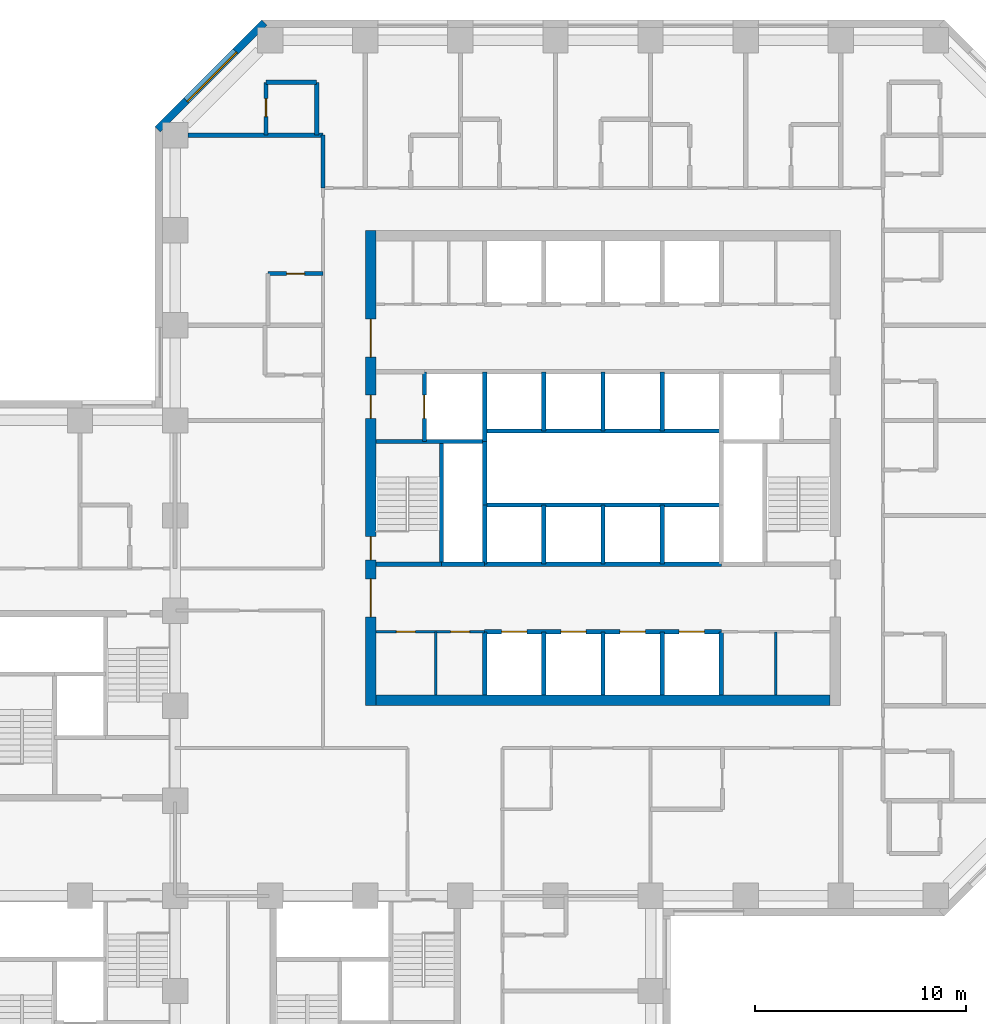
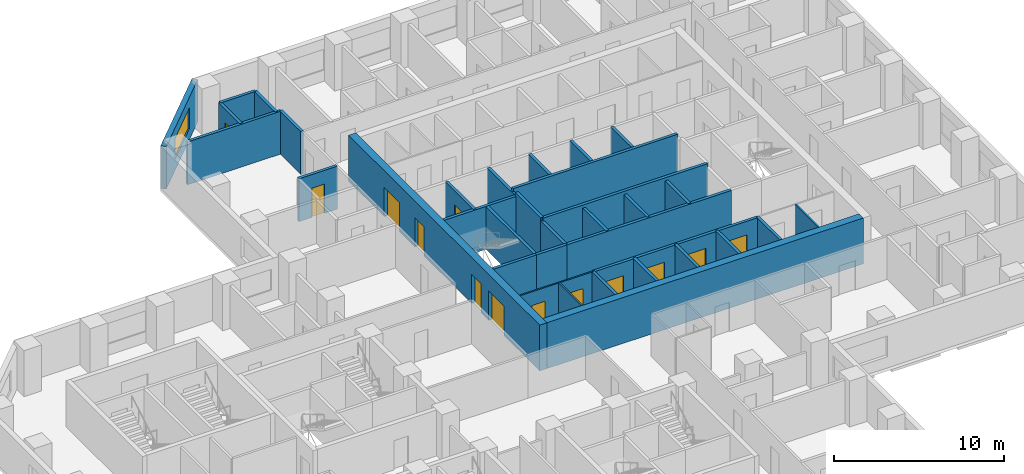
# One storey, part 7 of 12: 35 walls, 13 doors, 1 window, 14 openings.
"""IFC4 building model written with IfcOpenShell, lengths in metres."""

from ifc_helpers import new_model, si_unit, direction, frame, frame_2d, origin, place, context, subcontext, project, spatial, rectangle, extrude, material, layer, layer_set, constituent, constituent_set, type_object, element, fill, save


model = new_model("IFC4")

# Units and contexts
model_context = context("Model", 3, precision=1e-05, world=origin(), true_north=direction((0.0, 1.0)))
body_context = subcontext(model_context, "Body", "Model", "MODEL_VIEW")
ifc_project = project(units=[si_unit("LENGTHUNIT", "METRE"), si_unit("AREAUNIT", "SQUARE_METRE"), si_unit("VOLUMEUNIT", "CUBIC_METRE"), si_unit("PLANEANGLEUNIT", "RADIAN"), si_unit("MASSUNIT", "GRAM", prefix="KILO")], contexts=[model_context])

# Site, building, storey
site_placement = place(None, origin())
site = spatial("IfcSite", under=ifc_project, at=site_placement, CompositionType="ELEMENT")
building_placement = place(site_placement, origin())
building = spatial("IfcBuilding", under=site, at=building_placement, Name="Quoin Convention Tower", CompositionType="ELEMENT")
storey_placement = place(building_placement, frame((0.0, 0.0, 46.199951171875)))
storey = spatial("IfcBuildingStorey", under=building, at=storey_placement, Name="L11", CompositionType="ELEMENT", Elevation=46.199951171875)

# Wall, opening, window
ifc_material_1 = material(Name="Brick masonry", Category="masonry")
ifc_layer_1 = layer(ifc_material_1, 0.35009765625)
ifc_layer_set_1 = layer_set([ifc_layer_1], Name="Brick masonry")
wall_type_1 = type_object("IfcWallType", Name="Brick facade wall", PredefinedType="STANDARD", material=ifc_layer_set_1)
wall_1_placement = place(storey_placement, frame((40.230224609375, 81.826416015625, 0.0), z_axis=(0.0, 0.0, 1.0), x_axis=(-0.707106781187, -0.707106781187, 0.0)))
wall_1 = element("IfcWall", 1, at=wall_1_placement, inside=storey, type_object=wall_type_1, Name="fw-L11-40500_81000", PredefinedType="STANDARD", context=body_context, shape_type="SweptSolid", body=[
    extrude(rectangle(XDim=7.151123046875, YDim=0.35009765625, at=frame_2d((3.57568359375, 0.0))), origin(), (0.0, 0.0, 1.0), 3.054931640625),
])
opening_1_placement = place(wall_1_placement, frame((1.925537109375, 0.0, 0.800048828125)))
opening_1 = element("IfcOpeningElement", 2, at=opening_1_placement, cuts=wall_1, Name="Opening W-01", PredefinedType="OPENING", context=body_context, shape_type="SweptSolid", body=[
    extrude(rectangle(XDim=3.300048828125, YDim=1.5, at=frame_2d((1.64990234375, 0.75))), frame((0.0, 0.18505859375, 0.0), z_axis=(0.0, -1.0, 0.0), x_axis=(1.0, 0.0, 0.0)), (0.0, 0.0, 1.0), 0.3701171875),
])
ifc_material_2 = material(Name="Aluminium", Category="aluminium")
ifc_constituent_1 = constituent(ifc_material_2, Name="Frame")
ifc_material_3 = material(Name="Insulated glass", Category="glass")
ifc_constituent_2 = constituent(ifc_material_3, Name="Glazing")
ifc_constituent_set = constituent_set(constituents=[ifc_constituent_1, ifc_constituent_2], Name="Aluminium")
window_type = type_object("IfcWindowType", Name="Hotel strip window", PartitioningType="DOUBLE_PANEL_VERTICAL", PredefinedType="WINDOW", material=ifc_constituent_set)
window_placement = place(opening_1_placement, origin())
window = element("IfcWindow", 3, at=window_placement, inside=storey, type_object=window_type, Name="win-L11-37702_79298", OverallHeight=1.5, OverallWidth=3.300048828125, PartitioningType="SINGLE_PANEL", PredefinedType="WINDOW", context=body_context, shape_type="SweptSolid", body=[
    extrude(rectangle(XDim=3.300048828125, YDim=1.5, at=frame_2d((1.64990234375, 0.75))), frame((0.0, 0.0849609375, 0.0), z_axis=(0.0, -1.0, 0.0), x_axis=(1.0, 0.0, 0.0)), (0.0, 0.0, 1.0), 0.06005859375),
])
fill(opening_1, window)

# Wall, openings, doors
ifc_material_4 = material(Name="Plasterboard")
ifc_layer_2 = layer(ifc_material_4, 0.012451171875, Name="Finish")
ifc_material_5 = material(Name="Steel stud framing", Category="steel")
ifc_layer_3 = layer(ifc_material_5, 0.074951171875, Name="Structure")
ifc_layer_4 = layer(ifc_material_4, 0.012451171875, Name="Finish")
ifc_layer_set_2 = layer_set([ifc_layer_2, ifc_layer_3, ifc_layer_4], Name="Steel stud framing")
wall_type_2 = type_object("IfcWallType", Name="Core partition wall", PredefinedType="PARTITIONING", material=ifc_layer_set_2)
wall_2_placement = place(storey_placement, frame((45.5, 53.0, 0.0), z_axis=(0.0, 0.0, 1.0), x_axis=(1.0, 0.0, 0.0)))
wall_2 = element("IfcWall", 4, at=wall_2_placement, inside=storey, type_object=wall_type_2, Name="cr-C1-L11-h3500_500", PredefinedType="PARTITIONING", context=body_context, shape_type="SweptSolid", body=[
    extrude(rectangle(XDim=5.14990234375, YDim=0.10009765625, at=frame_2d((2.574951171875, 0.0))), origin(), (0.0, 0.0, 1.0), 3.080078125),
])
opening_2_placement = place(wall_2_placement, frame((0.96630859375, 0.0, 0.0)))
opening_2 = element("IfcOpeningElement", 5, at=opening_2_placement, cuts=wall_2, Name="Opening DCV4-36", PredefinedType="OPENING", context=body_context, shape_type="SweptSolid", body=[
    extrude(rectangle(XDim=0.89990234375, YDim=2.10009765625, at=frame_2d((0.449951171875, 1.050048828125))), frame((0.0, 0.06005859375, 0.0), z_axis=(0.0, -1.0, 0.0), x_axis=(1.0, 0.0, 0.0)), (0.0, 0.0, 1.0), 0.1201171875),
])
opening_3_placement = place(wall_2_placement, frame((3.541259765625, 0.0, 0.0)))
opening_3 = element("IfcOpeningElement", 6, at=opening_3_placement, cuts=wall_2, Name="Opening DCV4-37", PredefinedType="OPENING", context=body_context, shape_type="SweptSolid", body=[
    extrude(rectangle(XDim=0.89990234375, YDim=2.10009765625, at=frame_2d((0.449951171875, 1.050048828125))), frame((0.0, 0.06005859375, 0.0), z_axis=(0.0, -1.0, 0.0), x_axis=(1.0, 0.0, 0.0)), (0.0, 0.0, 1.0), 0.1201171875),
])
ifc_material_6 = material(Name="Steel door leaf", Category="steel")
door_type_1 = type_object("IfcDoorType", Name="Core room door 900 x 2100", OperationType="SINGLE_SWING_LEFT", PredefinedType="DOOR", material=ifc_material_6)
door_1_placement = place(opening_2_placement, frame((0.89990234375, 0.0, 0.0), z_axis=(0.0, 0.0, 1.0), x_axis=(-1.0, 0.0, 0.0)))
door_1 = element("IfcDoor", 7, at=door_1_placement, inside=storey, type_object=door_type_1, Name="cd-C1-L11-CSW0-lobA-CD1114", OperationType="SINGLE_SWING_LEFT", OverallHeight=2.10009765625, OverallWidth=0.89990234375, PredefinedType="DOOR", context=body_context, shape_type="SweptSolid", body=[
    extrude(rectangle(XDim=0.89990234375, YDim=2.10009765625, at=frame_2d((0.449951171875, 1.050048828125))), frame((0.0, 0.02490234375, 0.0), z_axis=(0.0, -1.0, 0.0), x_axis=(1.0, 0.0, 0.0)), (0.0, 0.0, 1.0), 0.050048828125),
])
fill(opening_2, door_1)
door_2_placement = place(opening_3_placement, frame((0.89990234375, 0.0, 0.0), z_axis=(0.0, 0.0, 1.0), x_axis=(-1.0, 0.0, 0.0)))
door_2 = element("IfcDoor", 8, at=door_2_placement, inside=storey, type_object=door_type_1, Name="cd-C1-L11-CSW1-lobA-CD1115", OperationType="SINGLE_SWING_LEFT", OverallHeight=2.10009765625, OverallWidth=0.89990234375, PredefinedType="DOOR", context=body_context, shape_type="SweptSolid", body=[
    extrude(rectangle(XDim=0.89990234375, YDim=2.10009765625, at=frame_2d((0.449951171875, 1.050048828125))), frame((0.0, 0.02490234375, 0.0), z_axis=(0.0, -1.0, 0.0), x_axis=(1.0, 0.0, 0.0)), (0.0, 0.0, 1.0), 0.050048828125),
])
fill(opening_3, door_2)

# Walls
for number, where, z_axis, x_axis, name in (
    (9, (48.33251953125, 50.0, 0.0), (0.0, 0.0, 1.0), (0.0, 1.0, 0.0), "cr-C1-L11-v3332_500"),
    (10, (64.425048828125, 50.0, 0.0), (0.0, 0.0, 1.0), (0.0, 1.0, 0.0), "cr-C1-L11-v19425_500"),
):
    element("IfcWall", number, at=place(storey_placement, frame(where, z_axis=z_axis, x_axis=x_axis)), inside=storey, type_object=wall_type_2, Name=name, PredefinedType="PARTITIONING", context=body_context, shape_type="SweptSolid", body=[
        extrude(rectangle(XDim=3.0, YDim=0.10009765625, at=frame_2d((1.5, 0.0))), origin(), (0.0, 0.0, 1.0), 3.080078125),
    ])

# Wall, openings, doors
ifc_material_7 = material(Name="Concrete C50", Category="concrete")
ifc_layer_5 = layer(ifc_material_7, 0.199951171875)
ifc_layer_set_3 = layer_set([ifc_layer_5], Name="Concrete C50")
wall_type_3 = type_object("IfcWallType", Name="Core shaft wall", PredefinedType="SOLIDWALL", material=ifc_layer_set_3)
wall_3_placement = place(storey_placement, frame((50.64990234375, 53.0, 0.0), z_axis=(0.0, 0.0, 1.0), x_axis=(1.0, 0.0, 0.0)))
wall_3 = element("IfcWall", 11, at=wall_3_placement, inside=storey, type_object=wall_type_3, Name="cr-C1-L11-h3500_5650", PredefinedType="SOLIDWALL", context=body_context, shape_type="SweptSolid", body=[
    extrude(rectangle(XDim=11.2001953125, YDim=0.199951171875, at=frame_2d((5.60009765625, 0.0))), origin(), (0.0, 0.0, 1.0), 3.080078125),
])
opening_4_placement = place(wall_3_placement, frame((0.800048828125, 0.0, 0.0)))
opening_4 = element("IfcOpeningElement", 12, at=opening_4_placement, cuts=wall_3, Name="Opening LDL1", PredefinedType="OPENING", context=body_context, shape_type="SweptSolid", body=[
    extrude(rectangle(XDim=1.199951171875, YDim=2.10009765625, at=frame_2d((0.60009765625, 1.050048828125))), frame((0.0, 0.10986328125, 0.0), z_axis=(0.0, -1.0, 0.0), x_axis=(1.0, 0.0, 0.0)), (0.0, 0.0, 1.0), 0.219970703125),
])
opening_5_placement = place(wall_3_placement, frame((3.60009765625, 0.0, 0.0)))
opening_5 = element("IfcOpeningElement", 13, at=opening_5_placement, cuts=wall_3, Name="Opening LDL2", PredefinedType="OPENING", context=body_context, shape_type="SweptSolid", body=[
    extrude(rectangle(XDim=1.199951171875, YDim=2.10009765625, at=frame_2d((0.60009765625, 1.050048828125))), frame((0.0, 0.10986328125, 0.0), z_axis=(0.0, -1.0, 0.0), x_axis=(1.0, 0.0, 0.0)), (0.0, 0.0, 1.0), 0.219970703125),
])
opening_6_placement = place(wall_3_placement, frame((6.39990234375, 0.0, 0.0)))
opening_6 = element("IfcOpeningElement", 14, at=opening_6_placement, cuts=wall_3, Name="Opening LDL3", PredefinedType="OPENING", context=body_context, shape_type="SweptSolid", body=[
    extrude(rectangle(XDim=1.199951171875, YDim=2.10009765625, at=frame_2d((0.60009765625, 1.050048828125))), frame((0.0, 0.10986328125, 0.0), z_axis=(0.0, -1.0, 0.0), x_axis=(1.0, 0.0, 0.0)), (0.0, 0.0, 1.0), 0.219970703125),
])
opening_7_placement = place(wall_3_placement, frame((9.199951171875, 0.0, 0.0)))
opening_7 = element("IfcOpeningElement", 15, at=opening_7_placement, cuts=wall_3, Name="Opening LDL4", PredefinedType="OPENING", context=body_context, shape_type="SweptSolid", body=[
    extrude(rectangle(XDim=1.199951171875, YDim=2.10009765625, at=frame_2d((0.60009765625, 1.050048828125))), frame((0.0, 0.10986328125, 0.0), z_axis=(0.0, -1.0, 0.0), x_axis=(1.0, 0.0, 0.0)), (0.0, 0.0, 1.0), 0.219970703125),
])
door_type_2 = type_object("IfcDoorType", Name="Lift landing door 1200 x 2100", OperationType="DOUBLE_DOOR_SLIDING", PredefinedType="DOOR", material=ifc_material_6)
door_3_placement = place(opening_4_placement, origin())
door_3 = element("IfcDoor", 16, at=door_3_placement, inside=storey, type_object=door_type_2, Name="cd-C1-L11-R10-lobA-LDL1", OperationType="DOUBLE_DOOR_SLIDING", OverallHeight=2.10009765625, OverallWidth=1.199951171875, PredefinedType="DOOR", context=body_context, shape_type="SweptSolid", body=[
    extrude(rectangle(XDim=1.199951171875, YDim=2.10009765625, at=frame_2d((0.60009765625, 1.050048828125))), frame((0.0, 0.02490234375, 0.0), z_axis=(0.0, -1.0, 0.0), x_axis=(1.0, 0.0, 0.0)), (0.0, 0.0, 1.0), 0.050048828125),
])
fill(opening_4, door_3)
door_4_placement = place(opening_5_placement, origin())
door_4 = element("IfcDoor", 17, at=door_4_placement, inside=storey, type_object=door_type_2, Name="cd-C1-L11-R11-lobA-LDL2", OperationType="DOUBLE_DOOR_SLIDING", OverallHeight=2.10009765625, OverallWidth=1.199951171875, PredefinedType="DOOR", context=body_context, shape_type="SweptSolid", body=[
    extrude(rectangle(XDim=1.199951171875, YDim=2.10009765625, at=frame_2d((0.60009765625, 1.050048828125))), frame((0.0, 0.02490234375, 0.0), z_axis=(0.0, -1.0, 0.0), x_axis=(1.0, 0.0, 0.0)), (0.0, 0.0, 1.0), 0.050048828125),
])
fill(opening_5, door_4)
door_5_placement = place(opening_6_placement, origin())
door_5 = element("IfcDoor", 18, at=door_5_placement, inside=storey, type_object=door_type_2, Name="cd-C1-L11-R12-lobA-LDL3", OperationType="DOUBLE_DOOR_SLIDING", OverallHeight=2.10009765625, OverallWidth=1.199951171875, PredefinedType="DOOR", context=body_context, shape_type="SweptSolid", body=[
    extrude(rectangle(XDim=1.199951171875, YDim=2.10009765625, at=frame_2d((0.60009765625, 1.050048828125))), frame((0.0, 0.02490234375, 0.0), z_axis=(0.0, -1.0, 0.0), x_axis=(1.0, 0.0, 0.0)), (0.0, 0.0, 1.0), 0.050048828125),
])
fill(opening_6, door_5)
door_6_placement = place(opening_7_placement, origin())
door_6 = element("IfcDoor", 19, at=door_6_placement, inside=storey, type_object=door_type_2, Name="cd-C1-L11-R13-lobA-LDL4", OperationType="DOUBLE_DOOR_SLIDING", OverallHeight=2.10009765625, OverallWidth=1.199951171875, PredefinedType="DOOR", context=body_context, shape_type="SweptSolid", body=[
    extrude(rectangle(XDim=1.199951171875, YDim=2.10009765625, at=frame_2d((0.60009765625, 1.050048828125))), frame((0.0, 0.02490234375, 0.0), z_axis=(0.0, -1.0, 0.0), x_axis=(1.0, 0.0, 0.0)), (0.0, 0.0, 1.0), 0.050048828125),
])
fill(opening_7, door_6)

# Walls
wall_4_placement = place(storey_placement, frame((48.60009765625, 56.199951171875, 0.0), z_axis=(0.0, 0.0, 1.0), x_axis=(1.0, 0.0, 0.0)))
element("IfcWall", 20, at=wall_4_placement, inside=storey, type_object=wall_type_3, Name="cr-C1-L11-h6700_3600", PredefinedType="SOLIDWALL", context=body_context, shape_type="SweptSolid", body=[
    extrude(rectangle(XDim=2.0498046875, YDim=0.199951171875, at=frame_2d((1.02490234375, 0.0))), origin(), (0.0, 0.0, 1.0), 3.080078125),
])
wall_5_placement = place(storey_placement, frame((45.5, 56.199951171875, 0.0), z_axis=(0.0, 0.0, 1.0), x_axis=(1.0, 0.0, 0.0)))
element("IfcWall", 21, at=wall_5_placement, inside=storey, type_object=wall_type_3, Name="cr-C1-L11-h6700_500", PredefinedType="SOLIDWALL", context=body_context, shape_type="SweptSolid", body=[
    extrude(rectangle(XDim=3.10009765625, YDim=0.199951171875, at=frame_2d((1.550048828125, 0.0))), origin(), (0.0, 0.0, 1.0), 3.080078125),
])
wall_6_placement = place(storey_placement, frame((50.64990234375, 56.199951171875, 0.0), z_axis=(0.0, 0.0, 1.0), x_axis=(1.0, 0.0, 0.0)))
element("IfcWall", 22, at=wall_6_placement, inside=storey, type_object=wall_type_3, Name="cr-C1-L11-h6700_5650", PredefinedType="SOLIDWALL", context=body_context, shape_type="SweptSolid", body=[
    extrude(rectangle(XDim=11.2001953125, YDim=0.199951171875, at=frame_2d((5.60009765625, 0.0))), origin(), (0.0, 0.0, 1.0), 3.080078125),
])
wall_7_placement = place(storey_placement, frame((45.5, 62.0, 0.0), z_axis=(0.0, 0.0, 1.0), x_axis=(1.0, 0.0, 0.0)))
element("IfcWall", 23, at=wall_7_placement, inside=storey, type_object=wall_type_3, Name="cr-C1-L11-h12500_500", PredefinedType="SOLIDWALL", context=body_context, shape_type="SweptSolid", body=[
    extrude(rectangle(XDim=5.14990234375, YDim=0.199951171875, at=frame_2d((2.574951171875, 0.0))), origin(), (0.0, 0.0, 1.0), 3.080078125),
])

# Wall, opening, door
wall_8_placement = place(storey_placement, frame((47.800048828125, 62.0, 0.0), z_axis=(0.0, 0.0, 1.0), x_axis=(0.0, 1.0, 0.0)))
wall_8 = element("IfcWall", 24, at=wall_8_placement, inside=storey, type_object=wall_type_3, Name="cr-C1-L11-v2800_12500", PredefinedType="SOLIDWALL", context=body_context, shape_type="SweptSolid", body=[
    extrude(rectangle(XDim=3.300048828125, YDim=0.199951171875, at=frame_2d((1.64990234375, 0.0))), origin(), (0.0, 0.0, 1.0), 3.080078125),
])
opening_8_placement = place(wall_8_placement, frame((1.10009765625, 0.0, 0.0)))
opening_8 = element("IfcOpeningElement", 25, at=opening_8_placement, cuts=wall_8, Name="Opening LDFL1", PredefinedType="OPENING", context=body_context, shape_type="SweptSolid", body=[
    extrude(rectangle(XDim=1.10009765625, YDim=2.10009765625, at=frame_2d((0.550048828125, 1.050048828125))), frame((0.0, 0.10986328125, 0.0), z_axis=(0.0, -1.0, 0.0), x_axis=(1.0, 0.0, 0.0)), (0.0, 0.0, 1.0), 0.219970703125),
])
door_type_3 = type_object("IfcDoorType", Name="Lift landing door 1100 x 2100", OperationType="DOUBLE_DOOR_SLIDING", PredefinedType="DOOR", material=ifc_material_6)
door_7_placement = place(opening_8_placement, origin())
door_7 = element("IfcDoor", 26, at=door_7_placement, inside=storey, type_object=door_type_3, Name="cd-C1-L11-FLW-FFW-LDFL1", OperationType="DOUBLE_DOOR_SLIDING", OverallHeight=2.10009765625, OverallWidth=1.10009765625, PredefinedType="DOOR", context=body_context, shape_type="SweptSolid", body=[
    extrude(rectangle(XDim=1.10009765625, YDim=2.10009765625, at=frame_2d((0.550048828125, 1.050048828125))), frame((0.0, 0.02490234375, 0.0), z_axis=(0.0, -1.0, 0.0), x_axis=(1.0, 0.0, 0.0)), (0.0, 0.0, 1.0), 0.050048828125),
])
fill(opening_8, door_7)

# Walls
wall_9_placement = place(storey_placement, frame((48.60009765625, 56.199951171875, 0.0), z_axis=(0.0, 0.0, 1.0), x_axis=(0.0, 1.0, 0.0)))
element("IfcWall", 27, at=wall_9_placement, inside=storey, type_object=wall_type_3, Name="cr-C1-L11-v3600_6700", PredefinedType="SOLIDWALL", context=body_context, shape_type="SweptSolid", body=[
    extrude(rectangle(XDim=5.800048828125, YDim=0.199951171875, at=frame_2d((2.89990234375, 0.0))), origin(), (0.0, 0.0, 1.0), 3.080078125),
])
wall_10_placement = place(storey_placement, frame((50.64990234375, 50.0, 0.0), z_axis=(0.0, 0.0, 1.0), x_axis=(0.0, 1.0, 0.0)))
element("IfcWall", 28, at=wall_10_placement, inside=storey, type_object=wall_type_3, Name="cr-C1-L11-v5650_500", PredefinedType="SOLIDWALL", context=body_context, shape_type="SweptSolid", body=[
    extrude(rectangle(XDim=3.0, YDim=0.199951171875, at=frame_2d((1.5, 0.0))), origin(), (0.0, 0.0, 1.0), 3.080078125),
])
wall_11_placement = place(storey_placement, frame((50.64990234375, 56.199951171875, 0.0), z_axis=(0.0, 0.0, 1.0), x_axis=(0.0, 1.0, 0.0)))
element("IfcWall", 29, at=wall_11_placement, inside=storey, type_object=wall_type_3, Name="cr-C1-L11-v5650_6700", PredefinedType="SOLIDWALL", context=body_context, shape_type="SweptSolid", body=[
    extrude(rectangle(XDim=2.800048828125, YDim=0.199951171875, at=frame_2d((1.39990234375, 0.0))), origin(), (0.0, 0.0, 1.0), 3.080078125),
])
wall_12_placement = place(storey_placement, frame((50.64990234375, 62.0, 0.0), z_axis=(0.0, 0.0, 1.0), x_axis=(0.0, 1.0, 0.0)))
element("IfcWall", 30, at=wall_12_placement, inside=storey, type_object=wall_type_3, Name="cr-C1-L11-v5650_12500", PredefinedType="SOLIDWALL", context=body_context, shape_type="SweptSolid", body=[
    extrude(rectangle(XDim=3.300048828125, YDim=0.199951171875, at=frame_2d((1.64990234375, 0.0))), origin(), (0.0, 0.0, 1.0), 3.080078125),
])
wall_13_placement = place(storey_placement, frame((53.449951171875, 50.0, 0.0), z_axis=(0.0, 0.0, 1.0), x_axis=(0.0, 1.0, 0.0)))
element("IfcWall", 31, at=wall_13_placement, inside=storey, type_object=wall_type_3, Name="cr-C1-L11-v8450_500", PredefinedType="SOLIDWALL", context=body_context, shape_type="SweptSolid", body=[
    extrude(rectangle(XDim=3.0, YDim=0.199951171875, at=frame_2d((1.5, 0.0))), origin(), (0.0, 0.0, 1.0), 3.080078125),
])
for number, where, z_axis, x_axis, name in (
    (32, (53.449951171875, 56.199951171875, 0.0), (0.0, 0.0, 1.0), (0.0, 1.0, 0.0), "cr-C1-L11-v8450_6700"),
    (33, (53.449951171875, 62.5, 0.0), (0.0, 0.0, 1.0), (0.0, 1.0, 0.0), "cr-C1-L11-v8450_13000"),
):
    element("IfcWall", number, at=place(storey_placement, frame(where, z_axis=z_axis, x_axis=x_axis)), inside=storey, type_object=wall_type_3, Name=name, PredefinedType="SOLIDWALL", context=body_context, shape_type="SweptSolid", body=[
        extrude(rectangle(XDim=2.800048828125, YDim=0.199951171875, at=frame_2d((1.39990234375, 0.0))), origin(), (0.0, 0.0, 1.0), 3.080078125),
    ])
wall_14_placement = place(storey_placement, frame((56.25, 50.0, 0.0), z_axis=(0.0, 0.0, 1.0), x_axis=(0.0, 1.0, 0.0)))
element("IfcWall", 34, at=wall_14_placement, inside=storey, type_object=wall_type_3, Name="cr-C1-L11-v11250_500", PredefinedType="SOLIDWALL", context=body_context, shape_type="SweptSolid", body=[
    extrude(rectangle(XDim=3.0, YDim=0.199951171875, at=frame_2d((1.5, 0.0))), origin(), (0.0, 0.0, 1.0), 3.080078125),
])
for number, where, z_axis, x_axis, name in (
    (35, (56.25, 56.199951171875, 0.0), (0.0, 0.0, 1.0), (0.0, 1.0, 0.0), "cr-C1-L11-v11250_6700"),
    (36, (56.25, 62.5, 0.0), (0.0, 0.0, 1.0), (0.0, 1.0, 0.0), "cr-C1-L11-v11250_13000"),
):
    element("IfcWall", number, at=place(storey_placement, frame(where, z_axis=z_axis, x_axis=x_axis)), inside=storey, type_object=wall_type_3, Name=name, PredefinedType="SOLIDWALL", context=body_context, shape_type="SweptSolid", body=[
        extrude(rectangle(XDim=2.800048828125, YDim=0.199951171875, at=frame_2d((1.39990234375, 0.0))), origin(), (0.0, 0.0, 1.0), 3.080078125),
    ])
wall_15_placement = place(storey_placement, frame((59.050048828125, 50.0, 0.0), z_axis=(0.0, 0.0, 1.0), x_axis=(0.0, 1.0, 0.0)))
element("IfcWall", 37, at=wall_15_placement, inside=storey, type_object=wall_type_3, Name="cr-C1-L11-v14050_500", PredefinedType="SOLIDWALL", context=body_context, shape_type="SweptSolid", body=[
    extrude(rectangle(XDim=3.0, YDim=0.199951171875, at=frame_2d((1.5, 0.0))), origin(), (0.0, 0.0, 1.0), 3.080078125),
])
for number, where, z_axis, x_axis, name in (
    (38, (59.050048828125, 56.199951171875, 0.0), (0.0, 0.0, 1.0), (0.0, 1.0, 0.0), "cr-C1-L11-v14050_6700"),
    (39, (59.050048828125, 62.5, 0.0), (0.0, 0.0, 1.0), (0.0, 1.0, 0.0), "cr-C1-L11-v14050_13000"),
):
    element("IfcWall", number, at=place(storey_placement, frame(where, z_axis=z_axis, x_axis=x_axis)), inside=storey, type_object=wall_type_3, Name=name, PredefinedType="SOLIDWALL", context=body_context, shape_type="SweptSolid", body=[
        extrude(rectangle(XDim=2.800048828125, YDim=0.199951171875, at=frame_2d((1.39990234375, 0.0))), origin(), (0.0, 0.0, 1.0), 3.080078125),
    ])
wall_16_placement = place(storey_placement, frame((61.85009765625, 50.0, 0.0), z_axis=(0.0, 0.0, 1.0), x_axis=(0.0, 1.0, 0.0)))
element("IfcWall", 40, at=wall_16_placement, inside=storey, type_object=wall_type_3, Name="cr-C1-L11-v16850_500", PredefinedType="SOLIDWALL", context=body_context, shape_type="SweptSolid", body=[
    extrude(rectangle(XDim=3.0, YDim=0.199951171875, at=frame_2d((1.5, 0.0))), origin(), (0.0, 0.0, 1.0), 3.080078125),
])
ifc_layer_6 = layer(ifc_material_7, 0.199951171875)
ifc_layer_set_4 = layer_set([ifc_layer_6], Name="Concrete C50")
wall_type_4 = type_object("IfcWallType", Name="Core shaft wall to the floor level over", PredefinedType="SOLIDWALL", material=ifc_layer_set_4)
for number, where, z_axis, x_axis, name in (
    (41, (50.64990234375, 59.0, 0.0), (0.0, 0.0, 1.0), (1.0, 0.0, 0.0), "cr-C1-L11-h9500_5650"),
    (42, (50.64990234375, 62.5, 0.0), (0.0, 0.0, 1.0), (1.0, 0.0, 0.0), "cr-C1-L11-h13000_5650"),
):
    element("IfcWall", number, at=place(storey_placement, frame(where, z_axis=z_axis, x_axis=x_axis)), inside=storey, type_object=wall_type_4, Name=name, PredefinedType="SOLIDWALL", context=body_context, shape_type="SweptSolid", body=[
        extrude(rectangle(XDim=11.2001953125, YDim=0.199951171875, at=frame_2d((5.60009765625, 0.0))), origin(), (0.0, 0.0, 1.0), 3.300048828125),
    ])
wall_17_placement = place(storey_placement, frame((50.64990234375, 59.0, 0.0), z_axis=(0.0, 0.0, 1.0), x_axis=(0.0, 1.0, 0.0)))
element("IfcWall", 43, at=wall_17_placement, inside=storey, type_object=wall_type_4, Name="cr-C1-L11-v5650_9500", PredefinedType="SOLIDWALL", context=body_context, shape_type="SweptSolid", body=[
    extrude(rectangle(XDim=3.0, YDim=0.199951171875, at=frame_2d((1.5, 0.0))), origin(), (0.0, 0.0, 1.0), 3.300048828125),
])
ifc_material_8 = material(Name="Concrete C80", Category="concrete")
ifc_layer_7 = layer(ifc_material_8, 0.5)
ifc_layer_set_5 = layer_set([ifc_layer_7], Name="Concrete C80")
wall_type_5 = type_object("IfcWallType", Name="RC CORE WALL 500 C80", PredefinedType="SHEAR", material=ifc_layer_set_5)
wall_18_placement = place(storey_placement, frame((45.5, 49.75, 0.0), z_axis=(0.0, 0.0, 1.0), x_axis=(1.0, 0.0, 0.0)))
element("IfcWall", 44, at=wall_18_placement, inside=storey, type_object=wall_type_5, Name="cwl-C1-L11-S", PredefinedType="SHEAR", context=body_context, shape_type="SweptSolid", body=[
    extrude(rectangle(XDim=21.5, YDim=0.5, at=frame_2d((10.75, 0.0))), origin(), (0.0, 0.0, 1.0), 3.300048828125),
])

# Wall, openings, doors
wall_19_placement = place(storey_placement, frame((45.25, 49.5, 0.0), z_axis=(0.0, 0.0, 1.0), x_axis=(0.0, 1.0, 0.0)))
wall_19 = element("IfcWall", 45, at=wall_19_placement, inside=storey, type_object=wall_type_5, Name="cwl-C1-L11-W", PredefinedType="SHEAR", context=body_context, shape_type="SweptSolid", body=[
    extrude(rectangle(XDim=22.5, YDim=0.5, at=frame_2d((11.25, 0.0))), origin(), (0.0, 0.0, 1.0), 3.300048828125),
])
opening_9_placement = place(wall_19_placement, frame((4.199951171875, 0.0, 0.0)))
opening_9 = element("IfcOpeningElement", 46, at=opening_9_placement, cuts=wall_19, Name="Opening DCV4-41", PredefinedType="OPENING", context=body_context, shape_type="SweptSolid", body=[
    extrude(rectangle(XDim=1.800048828125, YDim=2.10009765625, at=frame_2d((0.89990234375, 1.050048828125))), frame((0.0, 0.260009765625, 0.0), z_axis=(0.0, -1.0, 0.0), x_axis=(1.0, 0.0, 0.0)), (0.0, 0.0, 1.0), 0.52001953125),
])
opening_10_placement = place(wall_19_placement, frame((6.89990234375, 0.0, 0.0)))
opening_10 = element("IfcOpeningElement", 47, at=opening_10_placement, cuts=wall_19, Name="Opening SD1", PredefinedType="OPENING", context=body_context, shape_type="SweptSolid", body=[
    extrude(rectangle(XDim=1.10009765625, YDim=2.10009765625, at=frame_2d((0.550048828125, 1.050048828125))), frame((0.0, 0.260009765625, 0.0), z_axis=(0.0, -1.0, 0.0), x_axis=(1.0, 0.0, 0.0)), (0.0, 0.0, 1.0), 0.52001953125),
])
opening_11_placement = place(wall_19_placement, frame((13.60009765625, 0.0, 0.0)))
opening_11 = element("IfcOpeningElement", 48, at=opening_11_placement, cuts=wall_19, Name="Opening DCV4-40", PredefinedType="OPENING", context=body_context, shape_type="SweptSolid", body=[
    extrude(rectangle(XDim=1.10009765625, YDim=2.10009765625, at=frame_2d((0.550048828125, 1.050048828125))), frame((0.0, 0.260009765625, 0.0), z_axis=(0.0, -1.0, 0.0), x_axis=(1.0, 0.0, 0.0)), (0.0, 0.0, 1.0), 0.52001953125),
])
opening_12_placement = place(wall_19_placement, frame((16.5, 0.0, 0.0)))
opening_12 = element("IfcOpeningElement", 49, at=opening_12_placement, cuts=wall_19, Name="Opening DCV4-41", PredefinedType="OPENING", context=body_context, shape_type="SweptSolid", body=[
    extrude(rectangle(XDim=1.800048828125, YDim=2.10009765625, at=frame_2d((0.89990234375, 1.050048828125))), frame((0.0, 0.260009765625, 0.0), z_axis=(0.0, -1.0, 0.0), x_axis=(1.0, 0.0, 0.0)), (0.0, 0.0, 1.0), 0.52001953125),
])
door_type_4 = type_object("IfcDoorType", Name="Fire-fighting lobby door 1100 x 2100", OperationType="SINGLE_SWING_LEFT", PredefinedType="DOOR", material=ifc_material_6)
door_8_placement = place(opening_11_placement, frame((1.10009765625, 0.0, 0.0), z_axis=(0.0, 0.0, 1.0), x_axis=(-1.0, 0.0, 0.0)))
door_8 = element("IfcDoor", 50, at=door_8_placement, inside=storey, type_object=door_type_4, Name="cd-C1-L11-FFW-W", OperationType="SINGLE_SWING_LEFT", OverallHeight=2.10009765625, OverallWidth=1.10009765625, PredefinedType="DOOR", context=body_context, shape_type="SweptSolid", body=[
    extrude(rectangle(XDim=1.10009765625, YDim=2.10009765625, at=frame_2d((0.550048828125, 1.050048828125))), frame((0.0, 0.02490234375, 0.0), z_axis=(0.0, -1.0, 0.0), x_axis=(1.0, 0.0, 0.0)), (0.0, 0.0, 1.0), 0.050048828125),
])
fill(opening_11, door_8)
door_type_5 = type_object("IfcDoorType", Name="Lift lobby door 1800 x 2100", OperationType="SINGLE_SWING_LEFT", PredefinedType="DOOR", material=ifc_material_6)
door_9_placement = place(opening_9_placement, frame((1.800048828125, 0.0, 0.0), z_axis=(0.0, 0.0, 1.0), x_axis=(-1.0, 0.0, 0.0)))
door_9 = element("IfcDoor", 51, at=door_9_placement, inside=storey, type_object=door_type_5, Name="cd-C1-L11-lobA-W", OperationType="SINGLE_SWING_LEFT", OverallHeight=2.10009765625, OverallWidth=1.800048828125, PredefinedType="DOOR", context=body_context, shape_type="SweptSolid", body=[
    extrude(rectangle(XDim=1.800048828125, YDim=2.10009765625, at=frame_2d((0.89990234375, 1.050048828125))), frame((0.0, 0.02490234375, 0.0), z_axis=(0.0, -1.0, 0.0), x_axis=(1.0, 0.0, 0.0)), (0.0, 0.0, 1.0), 0.050048828125),
])
fill(opening_9, door_9)
door_10_placement = place(opening_12_placement, frame((1.800048828125, 0.0, 0.0), z_axis=(0.0, 0.0, 1.0), x_axis=(-1.0, 0.0, 0.0)))
door_10 = element("IfcDoor", 52, at=door_10_placement, inside=storey, type_object=door_type_5, Name="cd-C1-L11-lobB-W", OperationType="SINGLE_SWING_LEFT", OverallHeight=2.10009765625, OverallWidth=1.800048828125, PredefinedType="DOOR", context=body_context, shape_type="SweptSolid", body=[
    extrude(rectangle(XDim=1.800048828125, YDim=2.10009765625, at=frame_2d((0.89990234375, 1.050048828125))), frame((0.0, 0.02490234375, 0.0), z_axis=(0.0, -1.0, 0.0), x_axis=(1.0, 0.0, 0.0)), (0.0, 0.0, 1.0), 0.050048828125),
])
fill(opening_12, door_10)
door_type_6 = type_object("IfcDoorType", Name="Stair door 1100 x 2100", OperationType="SINGLE_SWING_RIGHT", PredefinedType="DOOR", material=ifc_material_6)
door_11_placement = place(opening_10_placement, frame((1.10009765625, 0.0, 0.0), z_axis=(0.0, 0.0, 1.0), x_axis=(-1.0, 0.0, 0.0)))
door_11 = element("IfcDoor", 53, at=door_11_placement, inside=storey, type_object=door_type_6, Name="cd-C1-L11-STW-W", OperationType="SINGLE_SWING_RIGHT", OverallHeight=2.10009765625, OverallWidth=1.10009765625, PredefinedType="DOOR", context=body_context, shape_type="SweptSolid", body=[
    extrude(rectangle(XDim=1.10009765625, YDim=2.10009765625, at=frame_2d((0.550048828125, 1.050048828125))), frame((0.0, 0.02490234375, 0.0), z_axis=(0.0, -1.0, 0.0), x_axis=(1.0, 0.0, 0.0)), (0.0, 0.0, 1.0), 0.050048828125),
])
fill(opening_10, door_11)

# Wall, opening, door
ifc_layer_8 = layer(ifc_material_7, 0.199951171875)
ifc_layer_set_6 = layer_set([ifc_layer_8], Name="Concrete C50")
wall_type_6 = type_object("IfcWallType", Name="RC party wall", PredefinedType="SOLIDWALL", material=ifc_layer_set_6)
wall_20_placement = place(storey_placement, frame((40.39990234375, 69.949951171875, 0.0), z_axis=(0.0, 0.0, 1.0), x_axis=(1.0, 0.0, 0.0)))
wall_20 = element("IfcWall", 54, at=wall_20_placement, inside=storey, type_object=wall_type_6, Name="pw-L11-116", PredefinedType="SOLIDWALL", context=body_context, shape_type="SweptSolid", body=[
    extrude(rectangle(XDim=2.60009765625, YDim=0.199951171875, at=frame_2d((1.300048828125, 0.0))), origin(), (0.0, 0.0, 1.0), 3.080078125),
])
opening_13_placement = place(wall_20_placement, frame((0.875, 0.0, 0.0)))
opening_13 = element("IfcOpeningElement", 55, at=opening_13_placement, cuts=wall_20, Name="Opening DHOTEL-H-64", PredefinedType="OPENING", context=body_context, shape_type="SweptSolid", body=[
    extrude(rectangle(XDim=0.85009765625, YDim=2.10009765625, at=frame_2d((0.425048828125, 1.050048828125))), frame((0.0, 0.10986328125, 0.0), z_axis=(0.0, -1.0, 0.0), x_axis=(1.0, 0.0, 0.0)), (0.0, 0.0, 1.0), 0.219970703125),
])
door_type_7 = type_object("IfcDoorType", Name="Bathroom door", OperationType="SINGLE_SWING_LEFT", PredefinedType="DOOR", material=ifc_material_6)
door_12_placement = place(opening_13_placement, origin())
door_12 = element("IfcDoor", 56, at=door_12_placement, inside=storey, type_object=door_type_7, Name="dr-L11-032", OperationType="SINGLE_SWING_RIGHT", OverallHeight=2.10009765625, OverallWidth=0.85009765625, PredefinedType="DOOR", context=body_context, shape_type="SweptSolid", body=[
    extrude(rectangle(XDim=0.85009765625, YDim=2.10009765625, at=frame_2d((0.425048828125, 1.050048828125))), frame((0.0, 0.02490234375, 0.0), z_axis=(0.0, -1.0, 0.0), x_axis=(1.0, 0.0, 0.0)), (0.0, 0.0, 1.0), 0.050048828125),
])
fill(opening_13, door_12)

# Walls
wall_21_placement = place(storey_placement, frame((43.0, 74.0, 0.0), z_axis=(0.0, 0.0, 1.0), x_axis=(0.0, 1.0, 0.0)))
element("IfcWall", 57, at=wall_21_placement, inside=storey, type_object=wall_type_6, Name="pw-L11-118", PredefinedType="SOLIDWALL", context=body_context, shape_type="SweptSolid", body=[
    extrude(rectangle(XDim=2.5, YDim=0.199951171875, at=frame_2d((1.25, 0.0))), origin(), (0.0, 0.0, 1.0), 3.080078125),
])
wall_22_placement = place(storey_placement, frame((36.60009765625, 76.5, 0.0), z_axis=(0.0, 0.0, 1.0), x_axis=(1.0, 0.0, 0.0)))
element("IfcWall", 58, at=wall_22_placement, inside=storey, type_object=wall_type_6, Name="pw-L11-133", PredefinedType="SOLIDWALL", context=body_context, shape_type="SweptSolid", body=[
    extrude(rectangle(XDim=6.39990234375, YDim=0.199951171875, at=frame_2d((3.199951171875, 0.0))), origin(), (0.0, 0.0, 1.0), 3.080078125),
])

# Wall, opening, door
wall_23_placement = place(storey_placement, frame((40.300048828125, 76.5, 0.0), z_axis=(0.0, 0.0, 1.0), x_axis=(0.0, 1.0, 0.0)))
wall_23 = element("IfcWall", 59, at=wall_23_placement, inside=storey, type_object=wall_type_6, Name="pw-L11-134", PredefinedType="SOLIDWALL", context=body_context, shape_type="SweptSolid", body=[
    extrude(rectangle(XDim=2.5, YDim=0.199951171875, at=frame_2d((1.25, 0.0))), origin(), (0.0, 0.0, 1.0), 3.080078125),
])
opening_14_placement = place(wall_23_placement, frame((0.875, 0.0, 0.0)))
opening_14 = element("IfcOpeningElement", 60, at=opening_14_placement, cuts=wall_23, Name="Opening DHOTEL-H-71", PredefinedType="OPENING", context=body_context, shape_type="SweptSolid", body=[
    extrude(rectangle(XDim=0.85009765625, YDim=2.10009765625, at=frame_2d((0.425048828125, 1.050048828125))), frame((0.0, 0.10986328125, 0.0), z_axis=(0.0, -1.0, 0.0), x_axis=(1.0, 0.0, 0.0)), (0.0, 0.0, 1.0), 0.219970703125),
])
door_13_placement = place(opening_14_placement, origin())
door_13 = element("IfcDoor", 61, at=door_13_placement, inside=storey, type_object=door_type_7, Name="dr-L11-064", OperationType="SINGLE_SWING_RIGHT", OverallHeight=2.10009765625, OverallWidth=0.85009765625, PredefinedType="DOOR", context=body_context, shape_type="SweptSolid", body=[
    extrude(rectangle(XDim=0.85009765625, YDim=2.10009765625, at=frame_2d((0.425048828125, 1.050048828125))), frame((0.0, 0.02490234375, 0.0), z_axis=(0.0, -1.0, 0.0), x_axis=(1.0, 0.0, 0.0)), (0.0, 0.0, 1.0), 0.050048828125),
])
fill(opening_14, door_13)

# Walls
wall_24_placement = place(storey_placement, frame((42.699951171875, 76.5, 0.0), z_axis=(0.0, 0.0, 1.0), x_axis=(0.0, 1.0, 0.0)))
element("IfcWall", 62, at=wall_24_placement, inside=storey, type_object=wall_type_6, Name="pw-L11-135", PredefinedType="SOLIDWALL", context=body_context, shape_type="SweptSolid", body=[
    extrude(rectangle(XDim=2.5, YDim=0.199951171875, at=frame_2d((1.25, 0.0))), origin(), (0.0, 0.0, 1.0), 3.080078125),
])
wall_25_placement = place(storey_placement, frame((40.300048828125, 79.0, 0.0), z_axis=(0.0, 0.0, 1.0), x_axis=(1.0, 0.0, 0.0)))
element("IfcWall", 63, at=wall_25_placement, inside=storey, type_object=wall_type_6, Name="pw-L11-144", PredefinedType="SOLIDWALL", context=body_context, shape_type="SweptSolid", body=[
    extrude(rectangle(XDim=2.39990234375, YDim=0.199951171875, at=frame_2d((1.199951171875, 0.0))), origin(), (0.0, 0.0, 1.0), 3.080078125),
])

save(model, "model.ifc")
